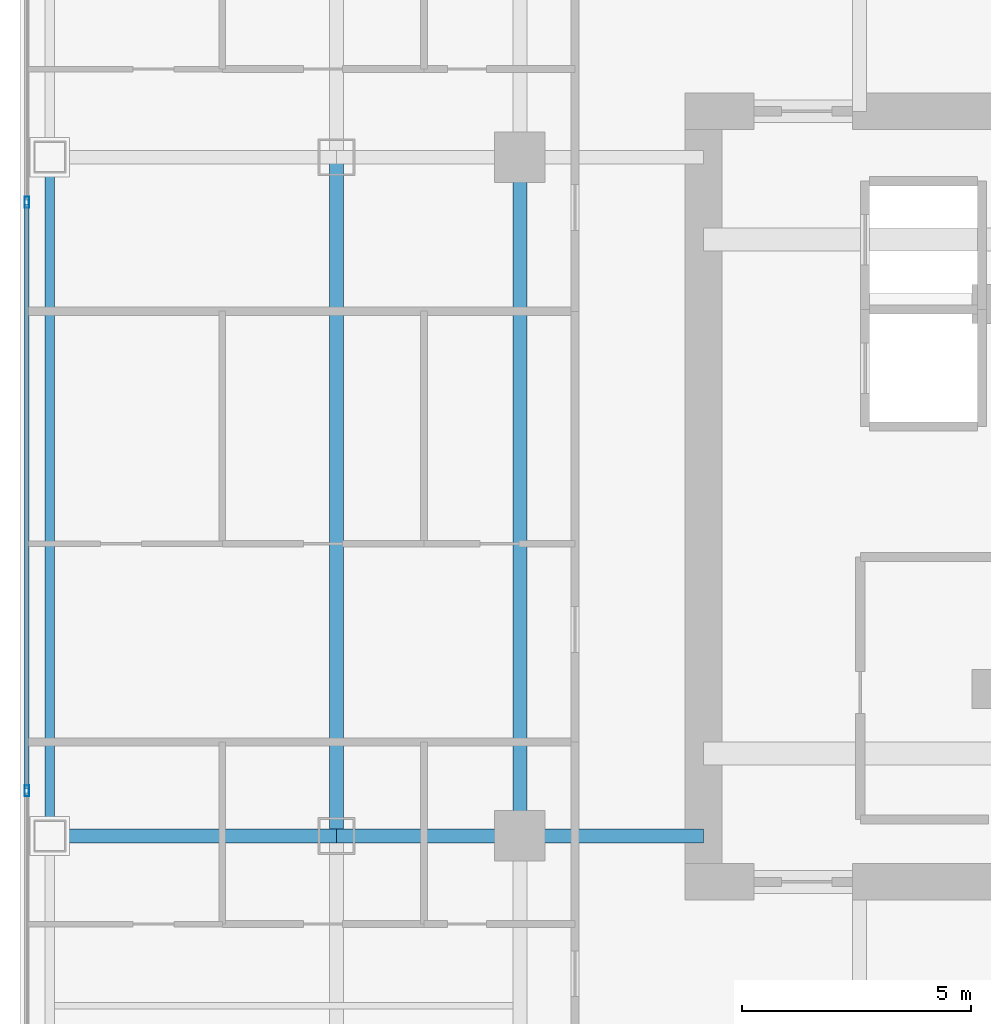
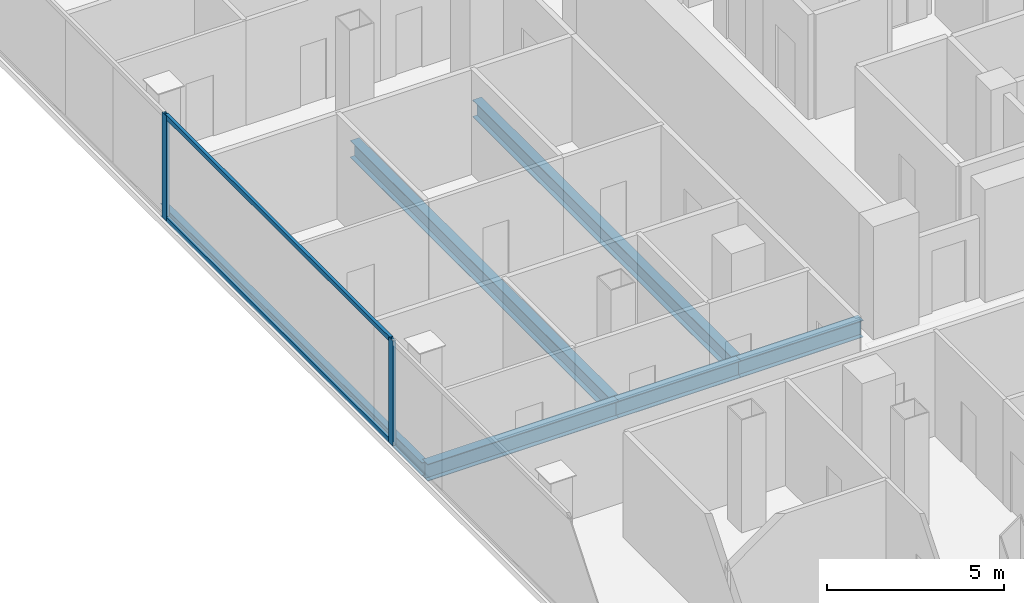
# One storey, part 5 of 26: 6 beams, 4 members, 1 element without a shape of its own.
"""IFC4 building model written with IfcOpenShell, lengths in metres."""

from ifc_helpers import new_model, si_unit, direction, frame, origin, origin_2d, place, context, subcontext, project, spatial, hollow_rectangle, i_section, extrude, material, layer, layer_set, material_profile, profile_set, type_object, element, aggregate, save


model = new_model("IFC4")

# Units and contexts
model_context = context("Model", 3, precision=1e-05, world=origin(), true_north=direction((0.0, 1.0)))
body_context = subcontext(model_context, "Body", "Model", "MODEL_VIEW")
ifc_project = project(units=[si_unit("LENGTHUNIT", "METRE"), si_unit("AREAUNIT", "SQUARE_METRE"), si_unit("VOLUMEUNIT", "CUBIC_METRE"), si_unit("PLANEANGLEUNIT", "RADIAN"), si_unit("MASSUNIT", "GRAM", prefix="KILO")], contexts=[model_context])

# Site, building, storey
site_placement = place(None, origin())
site = spatial("IfcSite", under=ifc_project, at=site_placement, CompositionType="ELEMENT")
building_placement = place(site_placement, origin())
building = spatial("IfcBuilding", under=site, at=building_placement, Name="Khorvyn Point Tower", CompositionType="ELEMENT")
storey_placement = place(building_placement, frame((0.0, 0.0, 187.5)))
storey = spatial("IfcBuildingStorey", under=building, at=storey_placement, Name="L46", CompositionType="ELEMENT", Elevation=187.5)

# Curtain wall, members
ifc_material_1 = material(Name="Anodised aluminium 6063-T6 and laminated Low-E glass", Category="aluminium")
ifc_layer = layer(ifc_material_1, 0.18994140625)
ifc_layer_set = layer_set([ifc_layer], Name="Stick-Built Acoustic Curtain Wall CW-SYS-03")
curtain_wall_type = type_object("IfcCurtainWallType", Name="Stick-Built Acoustic Curtain Wall CW-SYS-03", PredefinedType="NOTDEFINED", material=ifc_layer_set)
curtain_wall_placement = place(storey_placement, origin())
curtain_wall = element("IfcCurtainWall", 1, at=curtain_wall_placement, inside=storey, type_object=curtain_wall_type, Name="Curtain Wall", PredefinedType="NOTDEFINED")
ifc_material_2 = material(Name="Anodised aluminium 6063-T6", Category="aluminium")
ifc_material_profile_1 = material_profile(ifc_material_2, hollow_rectangle(XDim=0.10009765625, YDim=0.239990234375, WallThickness=0.0048828125, at=origin_2d()))
ifc_profile_set_1 = profile_set([ifc_material_profile_1], Name="Anodised aluminium 6063-T6 ALU-MUL-100x240")
member_type_1 = type_object("IfcMemberType", Name="Anodised Aluminium 6063-T6 Mullion ALU-MUL-100x240", PredefinedType="MULLION", material=ifc_profile_set_1)
member_1_placement = place(storey_placement, frame((-25.550048828125, -6.416748046875, 0.0), z_axis=(0.0, 0.0, 1.0), x_axis=(-1.0, 0.0, 0.0)))
member_1 = element("IfcMember", 2, at=member_1_placement, type_object=member_type_1, Name="Transom", PredefinedType="MULLION", context=body_context, shape_type="SweptSolid", body=[
    extrude(hollow_rectangle(XDim=0.10009765625, YDim=0.239990234375, WallThickness=0.0048828125, at=origin_2d()), origin(), (0.0, 0.0, 1.0), 3.6201171875),
])
member_2_placement = place(storey_placement, frame((-25.550048828125, 6.416748046875, 0.0), z_axis=(0.0, 0.0, 1.0), x_axis=(-1.0, 0.0, 0.0)))
member_2 = element("IfcMember", 3, at=member_2_placement, type_object=member_type_1, Name="Transom", PredefinedType="MULLION", context=body_context, shape_type="SweptSolid", body=[
    extrude(hollow_rectangle(XDim=0.10009765625, YDim=0.239990234375, WallThickness=0.0048828125, at=origin_2d()), origin(), (0.0, 0.0, 1.0), 3.6201171875),
])
ifc_material_profile_2 = material_profile(ifc_material_2, hollow_rectangle(XDim=0.10009765625, YDim=0.159912109375, WallThickness=0.00439453125, at=origin_2d()))
ifc_profile_set_2 = profile_set([ifc_material_profile_2], Name="Anodised aluminium 6063-T6 ALU-TRN-100x160")
member_type_2 = type_object("IfcMemberType", Name="Anodised Aluminium 6063-T6 Transom ALU-TRN-100x160", PredefinedType="USERDEFINED", material=ifc_profile_set_2)
member_3_placement = place(storey_placement, frame((-25.550048828125, -6.36669921875, 0.050048828125), z_axis=(0.0, 1.0, 0.0), x_axis=(-1.0, 0.0, 0.0)))
member_3 = element("IfcMember", 4, at=member_3_placement, type_object=member_type_2, Name="Transom", ObjectType="TRANSOM", PredefinedType="USERDEFINED", context=body_context, shape_type="SweptSolid", body=[
    extrude(hollow_rectangle(XDim=0.10009765625, YDim=0.159912109375, WallThickness=0.00439453125, at=origin_2d()), origin(), (0.0, 0.0, 1.0), 12.7333984375),
])
member_4_placement = place(storey_placement, frame((-25.550048828125, -6.36669921875, 3.570068359375), z_axis=(0.0, 1.0, 0.0), x_axis=(-1.0, 0.0, 0.0)))
member_4 = element("IfcMember", 5, at=member_4_placement, type_object=member_type_2, Name="Transom", ObjectType="TRANSOM", PredefinedType="USERDEFINED", context=body_context, shape_type="SweptSolid", body=[
    extrude(hollow_rectangle(XDim=0.10009765625, YDim=0.159912109375, WallThickness=0.00439453125, at=origin_2d()), origin(), (0.0, 0.0, 1.0), 12.7333984375),
])
aggregate(curtain_wall, [member_1, member_2, member_3, member_4])

# Beams
ifc_material_3 = material(Name="Steel S355", Category="steel")
ifc_material_profile_3 = material_profile(ifc_material_3, i_section(OverallWidth=0.300048828125, OverallDepth=0.587890625, WebThickness=0.011962890625, FlangeThickness=0.02001953125, at=origin_2d()))
ifc_profile_set_3 = profile_set([ifc_material_profile_3], Name="Steel S355 H588x300x12x20")
beam_type_1 = type_object("IfcBeamType", Name="Steel S355 Beam H588x300x12x20", PredefinedType="BEAM", material=ifc_profile_set_3)
beam_1_placement = place(storey_placement, frame((-25.050048828125, -7.39990234375, -0.513916015625), z_axis=(1.0, 0.0, 0.0), x_axis=(0.0, 1.0, 0.0)))
element("IfcBeam", 6, at=beam_1_placement, inside=storey, type_object=beam_type_1, Name="Beam", PredefinedType="BEAM", context=body_context, shape_type="SweptSolid", body=[
    extrude(i_section(OverallWidth=0.300048828125, OverallDepth=0.587890625, WebThickness=0.011962890625, FlangeThickness=0.02001953125, at=origin_2d()), origin(), (0.0, 0.0, 1.0), 6.25),
])
for number, where, z_axis, x_axis, name in (
    (7, (-18.800048828125, -7.39990234375, -0.513916015625), (1.0, 0.0, 0.0), (0.0, 1.0, 0.0), "Beam"),
    (8, (-14.800048828125, -7.39990234375, -0.513916015625), (1.0, 0.0, 0.0), (0.0, 1.0, 0.0), "Beam"),
):
    element("IfcBeam", number, at=place(storey_placement, frame(where, z_axis=z_axis, x_axis=x_axis)), inside=storey, type_object=beam_type_1, Name=name, PredefinedType="BEAM", context=body_context, shape_type="SweptSolid", body=[
        extrude(i_section(OverallWidth=0.300048828125, OverallDepth=0.587890625, WebThickness=0.011962890625, FlangeThickness=0.02001953125, at=origin_2d()), origin(), (0.0, 0.0, 1.0), 4.0),
    ])
for number, where, z_axis, x_axis, name in (
    (9, (-14.800048828125, -7.39990234375, -0.513916015625), (0.0, 1.0, 0.0), (-1.0, 0.0, 0.0), "Beam"),
    (10, (-18.800048828125, -7.39990234375, -0.513916015625), (0.0, 1.0, 0.0), (-1.0, 0.0, 0.0), "Beam"),
):
    element("IfcBeam", number, at=place(storey_placement, frame(where, z_axis=z_axis, x_axis=x_axis)), inside=storey, type_object=beam_type_1, Name=name, PredefinedType="BEAM", context=body_context, shape_type="SweptSolid", body=[
        extrude(i_section(OverallWidth=0.300048828125, OverallDepth=0.587890625, WebThickness=0.011962890625, FlangeThickness=0.02001953125, at=origin_2d()), origin(), (0.0, 0.0, 1.0), 14.7998046875),
    ])
ifc_material_profile_4 = material_profile(ifc_material_3, i_section(OverallWidth=0.199951171875, OverallDepth=0.449951171875, WebThickness=0.009033203125, FlangeThickness=0.013916015625, at=origin_2d()))
ifc_profile_set_4 = profile_set([ifc_material_profile_4], Name="Steel S355 H450x200x9x14")
beam_type_2 = type_object("IfcBeamType", Name="Steel S355 Spandrel H450x200x9x14", PredefinedType="SPANDREL", material=ifc_profile_set_4)
beam_2_placement = place(storey_placement, frame((-25.050048828125, -7.39990234375, -0.445068359375), z_axis=(0.0, 1.0, 0.0), x_axis=(-1.0, 0.0, 0.0)))
element("IfcBeam", 11, at=beam_2_placement, inside=storey, type_object=beam_type_2, Name="Beam", PredefinedType="SPANDREL", context=body_context, shape_type="SweptSolid", body=[
    extrude(i_section(OverallWidth=0.199951171875, OverallDepth=0.449951171875, WebThickness=0.009033203125, FlangeThickness=0.013916015625, at=origin_2d()), origin(), (0.0, 0.0, 1.0), 14.7998046875),
])

save(model, "model.ifc")
